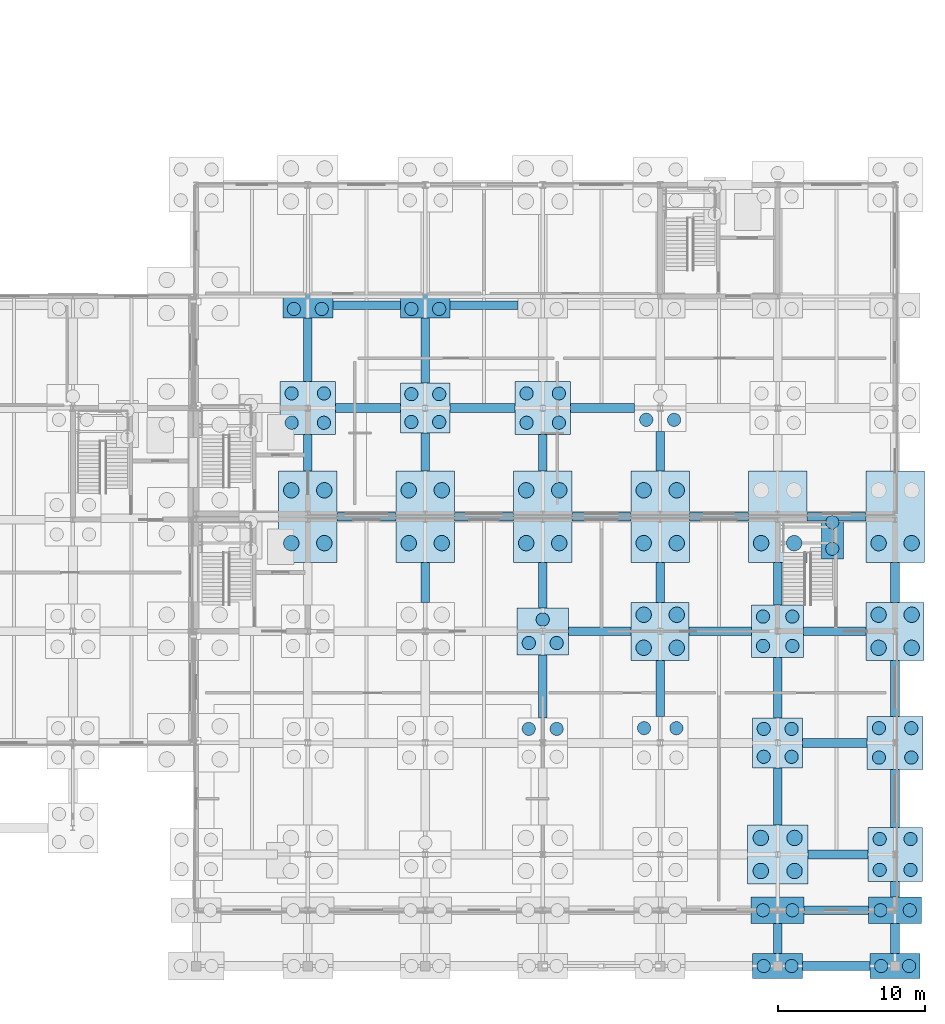
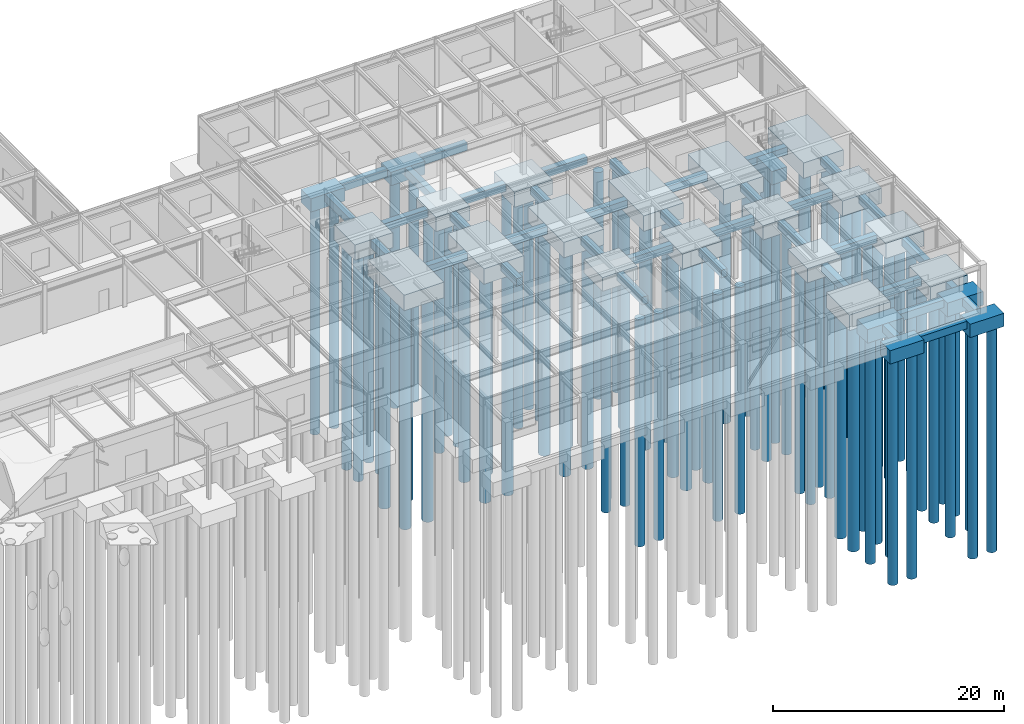
# One storey, part 6 of 62: 83 piles, 61 footings.
"""IFC4 building model written with IfcOpenShell, lengths in metres."""

from ifc_helpers import new_model, si_unit, direction, frame, origin, origin_2d, place, context, subcontext, project, spatial, rectangle, circle, extrude, material, material_profile, profile_set, type_object, element, save


model = new_model("IFC4")

# Units and contexts
model_context = context("Model", 3, precision=1e-05, world=origin(), true_north=direction((0.0, 1.0)))
body_context = subcontext(model_context, "Body", "Model", "MODEL_VIEW")
ifc_project = project(units=[si_unit("LENGTHUNIT", "METRE"), si_unit("AREAUNIT", "SQUARE_METRE"), si_unit("VOLUMEUNIT", "CUBIC_METRE"), si_unit("PLANEANGLEUNIT", "RADIAN"), si_unit("MASSUNIT", "GRAM", prefix="KILO")], contexts=[model_context])

# Site, building, storey
site_placement = place(None, origin())
site = spatial("IfcSite", under=ifc_project, at=site_placement, CompositionType="ELEMENT")
building_placement = place(site_placement, origin())
building = spatial("IfcBuilding", under=site, at=building_placement, Name="Zulena Civic Courthouse", CompositionType="ELEMENT")
storey_placement = place(building_placement, origin())
storey = spatial("IfcBuildingStorey", under=building, at=storey_placement, Name="L00", CompositionType="ELEMENT", Elevation=0.0)

# Piles
ifc_material_1 = material(Name="Concrete C40/50", Category="concrete")
ifc_material_profile_1 = material_profile(ifc_material_1, circle(Radius=0.52490234375, at=origin_2d()), Name="PILE1050")
ifc_profile_set_1 = profile_set([ifc_material_profile_1], Name="Concrete C40/50")
pile_type_1 = type_object("IfcPileType", Name="BoredPile_1050", PredefinedType="BORED", material=ifc_profile_set_1)
for number, where, z_axis, x_axis, name in (
    (1, (130.875, 28.800048828125, -1.780029296875), (0.0, 0.0, -1.0), (1.0, 0.0, 0.0), "pile:L00:104:1"),
    (2, (133.125, 28.800048828125, -1.780029296875), (0.0, 0.0, -1.0), (1.0, 0.0, 0.0), "pile:L00:104:2"),
    (3, (130.875, 32.39990234375, -1.780029296875), (0.0, 0.0, -1.0), (1.0, 0.0, 0.0), "pile:L00:104:3"),
    (4, (133.125, 32.39990234375, -1.780029296875), (0.0, 0.0, -1.0), (1.0, 0.0, 0.0), "pile:L00:104:4"),
    (5, (138.875, 28.800048828125, -1.780029296875), (0.0, 0.0, -1.0), (1.0, 0.0, 0.0), "pile:L00:113:1"),
    (6, (141.125, 28.800048828125, -1.780029296875), (0.0, 0.0, -1.0), (1.0, 0.0, 0.0), "pile:L00:113:2"),
    (7, (138.875, 32.39990234375, -1.780029296875), (0.0, 0.0, -1.0), (1.0, 0.0, 0.0), "pile:L00:113:3"),
    (8, (141.125, 32.39990234375, -1.780029296875), (0.0, 0.0, -1.0), (1.0, 0.0, 0.0), "pile:L00:113:4"),
    (9, (146.875, 28.800048828125, -1.780029296875), (0.0, 0.0, -1.0), (1.0, 0.0, 0.0), "pile:L00:122:1"),
    (10, (149.125, 28.800048828125, -1.780029296875), (0.0, 0.0, -1.0), (1.0, 0.0, 0.0), "pile:L00:122:2"),
    (11, (146.875, 32.39990234375, -1.780029296875), (0.0, 0.0, -1.0), (1.0, 0.0, 0.0), "pile:L00:122:3"),
    (12, (149.125, 32.39990234375, -1.780029296875), (0.0, 0.0, -1.0), (1.0, 0.0, 0.0), "pile:L00:122:4"),
    (13, (154.875, 21.675048828125, -1.72998046875), (0.0, 0.0, -1.0), (1.0, 0.0, 0.0), "pile:L00:130:1"),
    (14, (157.125, 21.675048828125, -1.72998046875), (0.0, 0.0, -1.0), (1.0, 0.0, 0.0), "pile:L00:130:2"),
    (15, (154.875, 23.925048828125, -1.72998046875), (0.0, 0.0, -1.0), (1.0, 0.0, 0.0), "pile:L00:130:3"),
    (16, (157.125, 23.925048828125, -1.72998046875), (0.0, 0.0, -1.0), (1.0, 0.0, 0.0), "pile:L00:130:4"),
    (17, (154.875, 28.800048828125, -1.780029296875), (0.0, 0.0, -1.0), (1.0, 0.0, 0.0), "pile:L00:131:1"),
    (18, (157.125, 28.800048828125, -1.780029296875), (0.0, 0.0, -1.0), (1.0, 0.0, 0.0), "pile:L00:131:2"),
    (19, (154.875, 32.39990234375, -1.780029296875), (0.0, 0.0, -1.0), (1.0, 0.0, 0.0), "pile:L00:131:3"),
    (20, (157.125, 32.39990234375, -1.780029296875), (0.0, 0.0, -1.0), (1.0, 0.0, 0.0), "pile:L00:131:4"),
    (21, (162.85009765625, 6.47509765625, -1.780029296875), (0.0, 0.0, -1.0), (1.0, 0.0, 0.0), "pile:L00:137:1"),
    (22, (165.14990234375, 6.47509765625, -1.780029296875), (0.0, 0.0, -1.0), (1.0, 0.0, 0.0), "pile:L00:137:2"),
    (23, (162.85009765625, 8.72509765625, -1.780029296875), (0.0, 0.0, -1.0), (1.0, 0.0, 0.0), "pile:L00:137:3"),
    (24, (165.14990234375, 8.72509765625, -1.780029296875), (0.0, 0.0, -1.0), (1.0, 0.0, 0.0), "pile:L00:137:4"),
    (25, (162.875, 28.800048828125, -1.780029296875), (0.0, 0.0, -1.0), (1.0, 0.0, 0.0), "pile:L00:140:1"),
    (26, (165.125, 28.800048828125, -1.780029296875), (0.0, 0.0, -1.0), (1.0, 0.0, 0.0), "pile:L00:140:2"),
    (27, (170.875, 21.675048828125, -1.72998046875), (0.0, 0.0, -1.0), (1.0, 0.0, 0.0), "pile:L00:148:1"),
    (28, (173.125, 21.675048828125, -1.72998046875), (0.0, 0.0, -1.0), (1.0, 0.0, 0.0), "pile:L00:148:2"),
    (29, (170.875, 23.925048828125, -1.72998046875), (0.0, 0.0, -1.0), (1.0, 0.0, 0.0), "pile:L00:148:3"),
    (30, (173.125, 23.925048828125, -1.72998046875), (0.0, 0.0, -1.0), (1.0, 0.0, 0.0), "pile:L00:148:4"),
    (31, (170.875, 28.800048828125, -1.780029296875), (0.0, 0.0, -1.0), (1.0, 0.0, 0.0), "pile:L00:149:1"),
    (32, (173.125, 28.800048828125, -1.780029296875), (0.0, 0.0, -1.0), (1.0, 0.0, 0.0), "pile:L00:149:2"),
):
    element("IfcPile", number, at=place(storey_placement, frame(where, z_axis=z_axis, x_axis=x_axis)), inside=storey, type_object=pile_type_1, Name=name, PredefinedType="BORED", context=body_context, shape_type="SweptSolid", body=[
        extrude(circle(Radius=0.52490234375, at=origin_2d()), origin(), (0.0, 0.0, 1.0), 24.0),
    ])
ifc_material_profile_2 = material_profile(ifc_material_1, circle(Radius=0.449951171875, at=origin_2d()), Name="PILE900")
ifc_profile_set_2 = profile_set([ifc_material_profile_2], Name="Concrete C40/50")
pile_type_2 = type_object("IfcPileType", Name="BoredPile_900", PredefinedType="BORED", material=ifc_profile_set_2)
for number, where, z_axis, x_axis, name in (
    (33, (130.89990234375, 37.0, -1.72998046875), (0.0, 0.0, -1.0), (1.0, 0.0, 0.0), "pile:L00:105:1"),
    (34, (133.10009765625, 37.0, -1.72998046875), (0.0, 0.0, -1.0), (1.0, 0.0, 0.0), "pile:L00:105:2"),
    (35, (130.89990234375, 39.0, -1.72998046875), (0.0, 0.0, -1.0), (1.0, 0.0, 0.0), "pile:L00:105:3"),
    (36, (133.10009765625, 39.0, -1.72998046875), (0.0, 0.0, -1.0), (1.0, 0.0, 0.0), "pile:L00:105:4"),
    (37, (131.050048828125, 44.75, -1.530029296875), (0.0, 0.0, -1.0), (1.0, 0.0, 0.0), "pile:L00:106:1"),
    (38, (132.949951171875, 44.75, -1.530029296875), (0.0, 0.0, -1.0), (1.0, 0.0, 0.0), "pile:L00:106:2"),
    (39, (139.050048828125, 37.050048828125, -1.6298828125), (0.0, 0.0, -1.0), (1.0, 0.0, 0.0), "pile:L00:114:1"),
    (40, (140.949951171875, 37.050048828125, -1.6298828125), (0.0, 0.0, -1.0), (1.0, 0.0, 0.0), "pile:L00:114:2"),
    (41, (139.050048828125, 38.949951171875, -1.6298828125), (0.0, 0.0, -1.0), (1.0, 0.0, 0.0), "pile:L00:114:3"),
    (42, (140.949951171875, 38.949951171875, -1.6298828125), (0.0, 0.0, -1.0), (1.0, 0.0, 0.0), "pile:L00:114:4"),
    (43, (139.050048828125, 44.75, -1.530029296875), (0.0, 0.0, -1.0), (1.0, 0.0, 0.0), "pile:L00:115:1"),
    (44, (140.949951171875, 44.75, -1.530029296875), (0.0, 0.0, -1.0), (1.0, 0.0, 0.0), "pile:L00:115:2"),
    (45, (147.050048828125, 16.14990234375, -1.6298828125), (0.0, 0.0, -1.0), (1.0, 0.0, 0.0), "pile:L00:120:3"),
    (46, (148.949951171875, 16.14990234375, -1.6298828125), (0.0, 0.0, -1.0), (1.0, 0.0, 0.0), "pile:L00:120:4"),
    (47, (147.050048828125, 22.0, -1.580078125), (0.0, 0.0, -1.0), (1.0, 0.0, 0.0), "pile:L00:121:1"),
    (48, (148.949951171875, 22.0, -1.580078125), (0.0, 0.0, -1.0), (1.0, 0.0, 0.0), "pile:L00:121:2"),
    (49, (148.0, 23.60009765625, -1.580078125), (0.0, 0.0, -1.0), (1.0, 0.0, 0.0), "pile:L00:121:3"),
    (50, (146.89990234375, 37.0, -1.72998046875), (0.0, 0.0, -1.0), (1.0, 0.0, 0.0), "pile:L00:123:1"),
    (51, (149.10009765625, 37.0, -1.72998046875), (0.0, 0.0, -1.0), (1.0, 0.0, 0.0), "pile:L00:123:2"),
    (52, (146.89990234375, 39.0, -1.72998046875), (0.0, 0.0, -1.0), (1.0, 0.0, 0.0), "pile:L00:123:3"),
    (53, (149.10009765625, 39.0, -1.72998046875), (0.0, 0.0, -1.0), (1.0, 0.0, 0.0), "pile:L00:123:4"),
    (54, (154.89990234375, 16.199951171875, -1.72998046875), (0.0, 0.0, -1.0), (1.0, 0.0, 0.0), "pile:L00:129:3"),
    (55, (157.10009765625, 16.199951171875, -1.72998046875), (0.0, 0.0, -1.0), (1.0, 0.0, 0.0), "pile:L00:129:4"),
    (56, (155.050048828125, 37.199951171875, -1.580078125), (0.0, 0.0, -1.0), (1.0, 0.0, 0.0), "pile:L00:132:1"),
    (57, (156.949951171875, 37.199951171875, -1.580078125), (0.0, 0.0, -1.0), (1.0, 0.0, 0.0), "pile:L00:132:2"),
    (58, (163.050048828125, 0.0, -1.530029296875), (0.0, 0.0, -1.0), (1.0, 0.0, 0.0), "pile:L00:135:1"),
    (59, (164.949951171875, 0.0, -1.530029296875), (0.0, 0.0, -1.0), (1.0, 0.0, 0.0), "pile:L00:135:2"),
    (60, (163.0, 3.800048828125, -1.580078125), (0.0, 0.0, -1.0), (1.0, 0.0, 0.0), "pile:L00:136:1"),
    (61, (165.0, 3.800048828125, -1.580078125), (0.0, 0.0, -1.0), (1.0, 0.0, 0.0), "pile:L00:136:2"),
    (62, (163.050048828125, 14.25, -1.6298828125), (0.0, 0.0, -1.0), (1.0, 0.0, 0.0), "pile:L00:138:1"),
    (63, (164.949951171875, 14.25, -1.6298828125), (0.0, 0.0, -1.0), (1.0, 0.0, 0.0), "pile:L00:138:2"),
    (64, (163.050048828125, 16.14990234375, -1.6298828125), (0.0, 0.0, -1.0), (1.0, 0.0, 0.0), "pile:L00:138:3"),
    (65, (164.949951171875, 16.14990234375, -1.6298828125), (0.0, 0.0, -1.0), (1.0, 0.0, 0.0), "pile:L00:138:4"),
    (66, (163.0, 21.800048828125, -1.6298828125), (0.0, 0.0, -1.0), (1.0, 0.0, 0.0), "pile:L00:139:1"),
    (67, (165.0, 21.800048828125, -1.6298828125), (0.0, 0.0, -1.0), (1.0, 0.0, 0.0), "pile:L00:139:2"),
    (68, (163.0, 23.800048828125, -1.6298828125), (0.0, 0.0, -1.0), (1.0, 0.0, 0.0), "pile:L00:139:3"),
    (69, (165.0, 23.800048828125, -1.6298828125), (0.0, 0.0, -1.0), (1.0, 0.0, 0.0), "pile:L00:139:4"),
    (70, (171.050048828125, 0.0, -1.530029296875), (0.0, 0.0, -1.0), (1.0, 0.0, 0.0), "pile:L00:144:1"),
    (71, (172.949951171875, 0.0, -1.530029296875), (0.0, 0.0, -1.0), (1.0, 0.0, 0.0), "pile:L00:144:2"),
    (72, (171.0, 3.800048828125, -1.580078125), (0.0, 0.0, -1.0), (1.0, 0.0, 0.0), "pile:L00:145:1"),
    (73, (173.0, 3.800048828125, -1.580078125), (0.0, 0.0, -1.0), (1.0, 0.0, 0.0), "pile:L00:145:2"),
    (74, (170.949951171875, 6.550048828125, -1.679931640625), (0.0, 0.0, -1.0), (1.0, 0.0, 0.0), "pile:L00:146:1"),
    (75, (173.050048828125, 6.550048828125, -1.679931640625), (0.0, 0.0, -1.0), (1.0, 0.0, 0.0), "pile:L00:146:2"),
    (76, (170.949951171875, 8.64990234375, -1.679931640625), (0.0, 0.0, -1.0), (1.0, 0.0, 0.0), "pile:L00:146:3"),
    (77, (173.050048828125, 8.64990234375, -1.679931640625), (0.0, 0.0, -1.0), (1.0, 0.0, 0.0), "pile:L00:146:4"),
    (78, (170.89990234375, 14.199951171875, -1.72998046875), (0.0, 0.0, -1.0), (1.0, 0.0, 0.0), "pile:L00:147:1"),
    (79, (173.10009765625, 14.199951171875, -1.72998046875), (0.0, 0.0, -1.0), (1.0, 0.0, 0.0), "pile:L00:147:2"),
    (80, (170.89990234375, 16.199951171875, -1.72998046875), (0.0, 0.0, -1.0), (1.0, 0.0, 0.0), "pile:L00:147:3"),
    (81, (173.10009765625, 16.199951171875, -1.72998046875), (0.0, 0.0, -1.0), (1.0, 0.0, 0.0), "pile:L00:147:4"),
    (82, (167.719970703125, 28.419921875, -1.530029296875), (0.0, 0.0, -1.0), (1.0, 0.0, 0.0), "pile:stair:L00:04:1"),
    (83, (167.719970703125, 30.219970703125, -1.530029296875), (0.0, 0.0, -1.0), (1.0, 0.0, 0.0), "pile:stair:L00:04:2"),
):
    element("IfcPile", number, at=place(storey_placement, frame(where, z_axis=z_axis, x_axis=x_axis)), inside=storey, type_object=pile_type_2, Name=name, PredefinedType="BORED", context=body_context, shape_type="SweptSolid", body=[
        extrude(circle(Radius=0.449951171875, at=origin_2d()), origin(), (0.0, 0.0, 1.0), 24.0),
    ])

# Footings
ifc_material_2 = material(Name="Concrete C35/45", Category="concrete")
ifc_material_profile_3 = material_profile(ifc_material_2, rectangle(XDim=0.60009765625, YDim=0.800048828125, at=origin_2d()), Name="RC600X800")
ifc_profile_set_3 = profile_set([ifc_material_profile_3], Name="Concrete C35/45")
footing_type_1 = type_object("IfcFootingType", Name="GroundBeam_600x800", PredefinedType="FOOTING_BEAM", material=ifc_profile_set_3)
footing_1_placement = place(storey_placement, frame((165.699951171875, 0.0, -0.6298828125), z_axis=(1.0, 0.0, 0.0), x_axis=(0.0, 1.0, 0.0)))
element("IfcFooting", 84, at=footing_1_placement, inside=storey, type_object=footing_type_1, Name="gbeam:X:L00:012", PredefinedType="FOOTING_BEAM", context=body_context, shape_type="SweptSolid", body=[
    extrude(rectangle(XDim=0.60009765625, YDim=0.800048828125, at=origin_2d()), origin(), (0.0, 0.0, 1.0), 4.60009765625),
])
footing_2_placement = place(storey_placement, frame((165.800048828125, 3.800048828125, -0.6298828125), z_axis=(1.0, 0.0, 0.0), x_axis=(0.0, 1.0, 0.0)))
element("IfcFooting", 85, at=footing_2_placement, inside=storey, type_object=footing_type_1, Name="gbeam:X:L00:024", PredefinedType="FOOTING_BEAM", context=body_context, shape_type="SweptSolid", body=[
    extrude(rectangle(XDim=0.60009765625, YDim=0.800048828125, at=origin_2d()), origin(), (0.0, 0.0, 1.0), 4.39990234375),
])
footing_3_placement = place(storey_placement, frame((166.050048828125, 7.60009765625, -0.6298828125), z_axis=(1.0, 0.0, 0.0), x_axis=(0.0, 1.0, 0.0)))
element("IfcFooting", 86, at=footing_3_placement, inside=storey, type_object=footing_type_1, Name="gbeam:X:L00:037", PredefinedType="FOOTING_BEAM", context=body_context, shape_type="SweptSolid", body=[
    extrude(rectangle(XDim=0.60009765625, YDim=0.800048828125, at=origin_2d()), origin(), (0.0, 0.0, 1.0), 4.099853515625),
])
footing_4_placement = place(storey_placement, frame((165.699951171875, 15.199951171875, -0.6298828125), z_axis=(1.0, 0.0, 0.0), x_axis=(0.0, 1.0, 0.0)))
element("IfcFooting", 87, at=footing_4_placement, inside=storey, type_object=footing_type_1, Name="gbeam:X:L00:063", PredefinedType="FOOTING_BEAM", context=body_context, shape_type="SweptSolid", body=[
    extrude(rectangle(XDim=0.60009765625, YDim=0.800048828125, at=origin_2d()), origin(), (0.0, 0.0, 1.0), 4.400146484375),
])
footing_5_placement = place(storey_placement, frame((149.75, 22.800048828125, -0.6298828125), z_axis=(1.0, 0.0, 0.0), x_axis=(0.0, 1.0, 0.0)))
element("IfcFooting", 88, at=footing_5_placement, inside=storey, type_object=footing_type_1, Name="gbeam:X:L00:082", PredefinedType="FOOTING_BEAM", context=body_context, shape_type="SweptSolid", body=[
    extrude(rectangle(XDim=0.60009765625, YDim=0.800048828125, at=origin_2d()), origin(), (0.0, 0.0, 1.0), 4.27490234375),
])
for number, where, z_axis, x_axis, name in (
    (89, (157.97509765625, 22.800048828125, -0.6298828125), (1.0, 0.0, 0.0), (0.0, 1.0, 0.0), "gbeam:X:L00:083"),
    (90, (165.77490234375, 22.800048828125, -0.6298828125), (1.0, 0.0, 0.0), (0.0, 1.0, 0.0), "gbeam:X:L00:084"),
):
    element("IfcFooting", number, at=place(storey_placement, frame(where, z_axis=z_axis, x_axis=x_axis)), inside=storey, type_object=footing_type_1, Name=name, PredefinedType="FOOTING_BEAM", context=body_context, shape_type="SweptSolid", body=[
        extrude(rectangle(XDim=0.60009765625, YDim=0.800048828125, at=origin_2d()), origin(), (0.0, 0.0, 1.0), 4.25),
    ])
for number, where, z_axis, x_axis, name in (
    (91, (134.0, 30.60009765625, -0.6298828125), (1.0, 0.0, 0.0), (0.0, 1.0, 0.0), "gbeam:X:L00:092"),
    (92, (142.0, 30.60009765625, -0.6298828125), (1.0, 0.0, 0.0), (0.0, 1.0, 0.0), "gbeam:X:L00:093"),
    (93, (150.0, 30.60009765625, -0.6298828125), (1.0, 0.0, 0.0), (0.0, 1.0, 0.0), "gbeam:X:L00:094"),
    (94, (158.0, 30.60009765625, -0.6298828125), (1.0, 0.0, 0.0), (0.0, 1.0, 0.0), "gbeam:X:L00:095"),
    (95, (166.0, 30.60009765625, -0.6298828125), (1.0, 0.0, 0.0), (0.0, 1.0, 0.0), "gbeam:X:L00:096"),
):
    element("IfcFooting", number, at=place(storey_placement, frame(where, z_axis=z_axis, x_axis=x_axis)), inside=storey, type_object=footing_type_1, Name=name, PredefinedType="FOOTING_BEAM", context=body_context, shape_type="SweptSolid", body=[
        extrude(rectangle(XDim=0.60009765625, YDim=0.800048828125, at=origin_2d()), origin(), (0.0, 0.0, 1.0), 4.0),
    ])
for number, where, z_axis, x_axis, name in (
    (96, (133.89990234375, 38.0, -0.6298828125), (1.0, 0.0, 0.0), (0.0, 1.0, 0.0), "gbeam:X:L00:107"),
    (97, (141.699951171875, 38.0, -0.6298828125), (1.0, 0.0, 0.0), (0.0, 1.0, 0.0), "gbeam:X:L00:108"),
):
    element("IfcFooting", number, at=place(storey_placement, frame(where, z_axis=z_axis, x_axis=x_axis)), inside=storey, type_object=footing_type_1, Name=name, PredefinedType="FOOTING_BEAM", context=body_context, shape_type="SweptSolid", body=[
        extrude(rectangle(XDim=0.60009765625, YDim=0.800048828125, at=origin_2d()), origin(), (0.0, 0.0, 1.0), 4.400146484375),
    ])
footing_6_placement = place(storey_placement, frame((149.89990234375, 38.0, -0.6298828125), z_axis=(1.0, 0.0, 0.0), x_axis=(0.0, 1.0, 0.0)))
element("IfcFooting", 98, at=footing_6_placement, inside=storey, type_object=footing_type_1, Name="gbeam:X:L00:109", PredefinedType="FOOTING_BEAM", context=body_context, shape_type="SweptSolid", body=[
    extrude(rectangle(XDim=0.60009765625, YDim=0.800048828125, at=origin_2d()), origin(), (0.0, 0.0, 1.0), 4.35009765625),
])
for number, where, z_axis, x_axis, name in (
    (99, (133.699951171875, 45.0, -0.6298828125), (1.0, 0.0, 0.0), (0.0, 1.0, 0.0), "gbeam:X:L00:120"),
    (100, (141.699951171875, 45.0, -0.6298828125), (1.0, 0.0, 0.0), (0.0, 1.0, 0.0), "gbeam:X:L00:121"),
):
    element("IfcFooting", number, at=place(storey_placement, frame(where, z_axis=z_axis, x_axis=x_axis)), inside=storey, type_object=footing_type_1, Name=name, PredefinedType="FOOTING_BEAM", context=body_context, shape_type="SweptSolid", body=[
        extrude(rectangle(XDim=0.60009765625, YDim=0.800048828125, at=origin_2d()), origin(), (0.0, 0.0, 1.0), 4.60009765625),
    ])
footing_7_placement = place(storey_placement, frame((132.0, 33.699951171875, -0.6298828125), z_axis=(0.0, 1.0, 0.0), x_axis=(-1.0, 0.0, 0.0)))
element("IfcFooting", 101, at=footing_7_placement, inside=storey, type_object=footing_type_1, Name="gbeam:Y:L00:208", PredefinedType="FOOTING_BEAM", context=body_context, shape_type="SweptSolid", body=[
    extrude(rectangle(XDim=0.60009765625, YDim=0.800048828125, at=origin_2d()), origin(), (0.0, 0.0, 1.0), 2.5),
])
footing_8_placement = place(storey_placement, frame((132.0, 39.800048828125, -0.6298828125), z_axis=(0.0, 1.0, 0.0), x_axis=(-1.0, 0.0, 0.0)))
element("IfcFooting", 102, at=footing_8_placement, inside=storey, type_object=footing_type_1, Name="gbeam:Y:L00:209", PredefinedType="FOOTING_BEAM", context=body_context, shape_type="SweptSolid", body=[
    extrude(rectangle(XDim=0.60009765625, YDim=0.800048828125, at=origin_2d()), origin(), (0.0, 0.0, 1.0), 4.349853515625),
])
footing_9_placement = place(storey_placement, frame((140.0, 24.77490234375, -0.6298828125), z_axis=(0.0, 1.0, 0.0), x_axis=(-1.0, 0.0, 0.0)))
element("IfcFooting", 103, at=footing_9_placement, inside=storey, type_object=footing_type_1, Name="gbeam:Y:L00:215", PredefinedType="FOOTING_BEAM", context=body_context, shape_type="SweptSolid", body=[
    extrude(rectangle(XDim=0.60009765625, YDim=0.800048828125, at=origin_2d()), origin(), (0.0, 0.0, 1.0), 2.72509765625),
])
footing_10_placement = place(storey_placement, frame((140.0, 33.699951171875, -0.6298828125), z_axis=(0.0, 1.0, 0.0), x_axis=(-1.0, 0.0, 0.0)))
element("IfcFooting", 104, at=footing_10_placement, inside=storey, type_object=footing_type_1, Name="gbeam:Y:L00:216", PredefinedType="FOOTING_BEAM", context=body_context, shape_type="SweptSolid", body=[
    extrude(rectangle(XDim=0.60009765625, YDim=0.800048828125, at=origin_2d()), origin(), (0.0, 0.0, 1.0), 2.60009765625),
])
footing_11_placement = place(storey_placement, frame((140.0, 39.699951171875, -0.6298828125), z_axis=(0.0, 1.0, 0.0), x_axis=(-1.0, 0.0, 0.0)))
element("IfcFooting", 105, at=footing_11_placement, inside=storey, type_object=footing_type_1, Name="gbeam:Y:L00:217", PredefinedType="FOOTING_BEAM", context=body_context, shape_type="SweptSolid", body=[
    extrude(rectangle(XDim=0.60009765625, YDim=0.800048828125, at=origin_2d()), origin(), (0.0, 0.0, 1.0), 4.449951171875),
])
footing_12_placement = place(storey_placement, frame((148.0, 16.89990234375, -0.6298828125), z_axis=(0.0, 1.0, 0.0), x_axis=(-1.0, 0.0, 0.0)))
element("IfcFooting", 106, at=footing_12_placement, inside=storey, type_object=footing_type_1, Name="gbeam:Y:L00:221", PredefinedType="FOOTING_BEAM", context=body_context, shape_type="SweptSolid", body=[
    extrude(rectangle(XDim=0.60009765625, YDim=0.800048828125, at=origin_2d()), origin(), (0.0, 0.0, 1.0), 4.300048828125),
])
footing_13_placement = place(storey_placement, frame((148.0, 24.39990234375, -0.6298828125), z_axis=(0.0, 1.0, 0.0), x_axis=(-1.0, 0.0, 0.0)))
element("IfcFooting", 107, at=footing_13_placement, inside=storey, type_object=footing_type_1, Name="gbeam:Y:L00:222", PredefinedType="FOOTING_BEAM", context=body_context, shape_type="SweptSolid", body=[
    extrude(rectangle(XDim=0.60009765625, YDim=0.800048828125, at=origin_2d()), origin(), (0.0, 0.0, 1.0), 3.10009765625),
])
footing_14_placement = place(storey_placement, frame((148.0, 33.699951171875, -0.6298828125), z_axis=(0.0, 1.0, 0.0), x_axis=(-1.0, 0.0, 0.0)))
element("IfcFooting", 108, at=footing_14_placement, inside=storey, type_object=footing_type_1, Name="gbeam:Y:L00:223", PredefinedType="FOOTING_BEAM", context=body_context, shape_type="SweptSolid", body=[
    extrude(rectangle(XDim=0.60009765625, YDim=0.800048828125, at=origin_2d()), origin(), (0.0, 0.0, 1.0), 2.5),
])
footing_15_placement = place(storey_placement, frame((156.0, 17.0, -0.6298828125), z_axis=(0.0, 1.0, 0.0), x_axis=(-1.0, 0.0, 0.0)))
element("IfcFooting", 109, at=footing_15_placement, inside=storey, type_object=footing_type_1, Name="gbeam:Y:L00:229", PredefinedType="FOOTING_BEAM", context=body_context, shape_type="SweptSolid", body=[
    extrude(rectangle(XDim=0.60009765625, YDim=0.800048828125, at=origin_2d()), origin(), (0.0, 0.0, 1.0), 3.824951171875),
])
footing_16_placement = place(storey_placement, frame((156.0, 24.77490234375, -0.6298828125), z_axis=(0.0, 1.0, 0.0), x_axis=(-1.0, 0.0, 0.0)))
element("IfcFooting", 110, at=footing_16_placement, inside=storey, type_object=footing_type_1, Name="gbeam:Y:L00:230", PredefinedType="FOOTING_BEAM", context=body_context, shape_type="SweptSolid", body=[
    extrude(rectangle(XDim=0.60009765625, YDim=0.800048828125, at=origin_2d()), origin(), (0.0, 0.0, 1.0), 2.72509765625),
])
footing_17_placement = place(storey_placement, frame((156.0, 33.699951171875, -0.6298828125), z_axis=(0.0, 1.0, 0.0), x_axis=(-1.0, 0.0, 0.0)))
element("IfcFooting", 111, at=footing_17_placement, inside=storey, type_object=footing_type_1, Name="gbeam:Y:L00:231", PredefinedType="FOOTING_BEAM", context=body_context, shape_type="SweptSolid", body=[
    extrude(rectangle(XDim=0.60009765625, YDim=0.800048828125, at=origin_2d()), origin(), (0.0, 0.0, 1.0), 2.699951171875),
])
footing_18_placement = place(storey_placement, frame((164.0, 0.85009765625, -0.6298828125), z_axis=(0.0, 1.0, 0.0), x_axis=(-1.0, 0.0, 0.0)))
element("IfcFooting", 112, at=footing_18_placement, inside=storey, type_object=footing_type_1, Name="gbeam:Y:L00:234", PredefinedType="FOOTING_BEAM", context=body_context, shape_type="SweptSolid", body=[
    extrude(rectangle(XDim=0.60009765625, YDim=0.800048828125, at=origin_2d()), origin(), (0.0, 0.0, 1.0), 2.0498046875),
])
footing_19_placement = place(storey_placement, frame((164.0, 9.60009765625, -0.6298828125), z_axis=(0.0, 1.0, 0.0), x_axis=(-1.0, 0.0, 0.0)))
element("IfcFooting", 113, at=footing_19_placement, inside=storey, type_object=footing_type_1, Name="gbeam:Y:L00:235", PredefinedType="FOOTING_BEAM", context=body_context, shape_type="SweptSolid", body=[
    extrude(rectangle(XDim=0.60009765625, YDim=0.800048828125, at=origin_2d()), origin(), (0.0, 0.0, 1.0), 3.89990234375),
])
footing_20_placement = place(storey_placement, frame((164.0, 16.89990234375, -0.6298828125), z_axis=(0.0, 1.0, 0.0), x_axis=(-1.0, 0.0, 0.0)))
element("IfcFooting", 114, at=footing_20_placement, inside=storey, type_object=footing_type_1, Name="gbeam:Y:L00:236", PredefinedType="FOOTING_BEAM", context=body_context, shape_type="SweptSolid", body=[
    extrude(rectangle(XDim=0.60009765625, YDim=0.800048828125, at=origin_2d()), origin(), (0.0, 0.0, 1.0), 4.125),
])
footing_21_placement = place(storey_placement, frame((164.0, 24.574951171875, -0.6298828125), z_axis=(0.0, 1.0, 0.0), x_axis=(-1.0, 0.0, 0.0)))
element("IfcFooting", 115, at=footing_21_placement, inside=storey, type_object=footing_type_1, Name="gbeam:Y:L00:237", PredefinedType="FOOTING_BEAM", context=body_context, shape_type="SweptSolid", body=[
    extrude(rectangle(XDim=0.60009765625, YDim=0.800048828125, at=origin_2d()), origin(), (0.0, 0.0, 1.0), 2.925048828125),
])
footing_22_placement = place(storey_placement, frame((172.0, 0.85009765625, -0.6298828125), z_axis=(0.0, 1.0, 0.0), x_axis=(-1.0, 0.0, 0.0)))
element("IfcFooting", 116, at=footing_22_placement, inside=storey, type_object=footing_type_1, Name="gbeam:Y:L00:241", PredefinedType="FOOTING_BEAM", context=body_context, shape_type="SweptSolid", body=[
    extrude(rectangle(XDim=0.60009765625, YDim=0.800048828125, at=origin_2d()), origin(), (0.0, 0.0, 1.0), 2.0498046875),
])
footing_23_placement = place(storey_placement, frame((172.0, 4.699951171875, -0.6298828125), z_axis=(0.0, 1.0, 0.0), x_axis=(-1.0, 0.0, 0.0)))
element("IfcFooting", 117, at=footing_23_placement, inside=storey, type_object=footing_type_1, Name="gbeam:Y:L00:242", PredefinedType="FOOTING_BEAM", context=body_context, shape_type="SweptSolid", body=[
    extrude(rectangle(XDim=0.60009765625, YDim=0.800048828125, at=origin_2d()), origin(), (0.0, 0.0, 1.0), 1.050048828125),
])
footing_24_placement = place(storey_placement, frame((172.0, 9.449951171875, -0.6298828125), z_axis=(0.0, 1.0, 0.0), x_axis=(-1.0, 0.0, 0.0)))
element("IfcFooting", 118, at=footing_24_placement, inside=storey, type_object=footing_type_1, Name="gbeam:Y:L00:243", PredefinedType="FOOTING_BEAM", context=body_context, shape_type="SweptSolid", body=[
    extrude(rectangle(XDim=0.60009765625, YDim=0.800048828125, at=origin_2d()), origin(), (0.0, 0.0, 1.0), 3.949951171875),
])
footing_25_placement = place(storey_placement, frame((172.0, 17.0, -0.6298828125), z_axis=(0.0, 1.0, 0.0), x_axis=(-1.0, 0.0, 0.0)))
element("IfcFooting", 119, at=footing_25_placement, inside=storey, type_object=footing_type_1, Name="gbeam:Y:L00:244", PredefinedType="FOOTING_BEAM", context=body_context, shape_type="SweptSolid", body=[
    extrude(rectangle(XDim=0.60009765625, YDim=0.800048828125, at=origin_2d()), origin(), (0.0, 0.0, 1.0), 3.824951171875),
])
footing_26_placement = place(storey_placement, frame((172.0, 24.77490234375, -0.6298828125), z_axis=(0.0, 1.0, 0.0), x_axis=(-1.0, 0.0, 0.0)))
element("IfcFooting", 120, at=footing_26_placement, inside=storey, type_object=footing_type_1, Name="gbeam:Y:L00:245", PredefinedType="FOOTING_BEAM", context=body_context, shape_type="SweptSolid", body=[
    extrude(rectangle(XDim=0.60009765625, YDim=0.800048828125, at=origin_2d()), origin(), (0.0, 0.0, 1.0), 2.72509765625),
])
footing_type_2 = type_object("IfcFootingType", Name="PileCap_2P_1500x3200", PredefinedType="PILE_CAP", material=ifc_material_1)
footing_27_placement = place(storey_placement, frame((167.719970703125, 29.320068359375, -1.6298828125), z_axis=(0.0, 0.0, 1.0), x_axis=(1.0, 0.0, 0.0)))
element("IfcFooting", 121, at=footing_27_placement, inside=storey, type_object=footing_type_2, Name="cap:stair:L00:04", PredefinedType="PILE_CAP", context=body_context, shape_type="SweptSolid", body=[
    extrude(rectangle(XDim=1.5, YDim=3.199951171875, at=origin_2d()), origin(), (0.0, 0.0, 1.0), 1.39990234375),
])
footing_type_3 = type_object("IfcFootingType", Name="PileCap_2P_3400x1700", PredefinedType="PILE_CAP", material=ifc_material_1)
for number, where, z_axis, x_axis, name in (
    (122, (132.0, 45.0, -1.6298828125), (0.0, 0.0, 1.0), (1.0, 0.0, 0.0), "cap:L00:106"),
    (123, (140.0, 45.0, -1.6298828125), (0.0, 0.0, 1.0), (1.0, 0.0, 0.0), "cap:L00:115"),
    (124, (164.0, 0.0, -1.6298828125), (0.0, 0.0, 1.0), (1.0, 0.0, 0.0), "cap:L00:135"),
    (125, (172.0, 0.0, -1.6298828125), (0.0, 0.0, 1.0), (1.0, 0.0, 0.0), "cap:L00:144"),
):
    element("IfcFooting", number, at=place(storey_placement, frame(where, z_axis=z_axis, x_axis=x_axis)), inside=storey, type_object=footing_type_3, Name=name, PredefinedType="PILE_CAP", context=body_context, shape_type="SweptSolid", body=[
        extrude(rectangle(XDim=3.39990234375, YDim=1.699951171875, at=origin_2d()), origin(), (0.0, 0.0, 1.0), 1.39990234375),
    ])
footing_type_4 = type_object("IfcFootingType", Name="PileCap_2P_3600x1800", PredefinedType="PILE_CAP", material=ifc_material_1)
for number, where, z_axis, x_axis, name in (
    (126, (164.0, 3.800048828125, -1.68017578125), (0.0, 0.0, 1.0), (1.0, 0.0, 0.0), "cap:L00:136"),
    (127, (172.0, 3.800048828125, -1.68017578125), (0.0, 0.0, 1.0), (1.0, 0.0, 0.0), "cap:L00:145"),
):
    element("IfcFooting", number, at=place(storey_placement, frame(where, z_axis=z_axis, x_axis=x_axis)), inside=storey, type_object=footing_type_4, Name=name, PredefinedType="PILE_CAP", context=body_context, shape_type="SweptSolid", body=[
        extrude(rectangle(XDim=3.60009765625, YDim=1.800048828125, at=origin_2d()), origin(), (0.0, 0.0, 1.0), 1.449951171875),
    ])
footing_type_5 = type_object("IfcFootingType", Name="PileCap_3P_3500x3200", PredefinedType="PILE_CAP", material=ifc_material_1)
footing_28_placement = place(storey_placement, frame((148.0, 22.800048828125, -1.68017578125), z_axis=(0.0, 0.0, 1.0), x_axis=(1.0, 0.0, 0.0)))
element("IfcFooting", 128, at=footing_28_placement, inside=storey, type_object=footing_type_5, Name="cap:L00:121", PredefinedType="PILE_CAP", context=body_context, shape_type="SweptSolid", body=[
    extrude(rectangle(XDim=3.5, YDim=3.199951171875, at=origin_2d()), origin(), (0.0, 0.0, 1.0), 1.449951171875),
])
footing_type_6 = type_object("IfcFootingType", Name="PileCap_4P_3400x3400", PredefinedType="PILE_CAP", material=ifc_material_1)
for number, where, z_axis, x_axis, name in (
    (129, (140.0, 38.0, -1.72998046875), (0.0, 0.0, 1.0), (1.0, 0.0, 0.0), "cap:L00:114"),
    (130, (164.0, 15.199951171875, -1.72998046875), (0.0, 0.0, 1.0), (1.0, 0.0, 0.0), "cap:L00:138"),
):
    element("IfcFooting", number, at=place(storey_placement, frame(where, z_axis=z_axis, x_axis=x_axis)), inside=storey, type_object=footing_type_6, Name=name, PredefinedType="PILE_CAP", context=body_context, shape_type="SweptSolid", body=[
        extrude(rectangle(XDim=3.39990234375, YDim=3.39990234375, at=origin_2d()), origin(), (0.0, 0.0, 1.0), 1.5),
    ])
footing_type_7 = type_object("IfcFootingType", Name="PileCap_4P_3550x3550", PredefinedType="PILE_CAP", material=ifc_material_1)
footing_29_placement = place(storey_placement, frame((164.0, 22.800048828125, -1.72998046875), z_axis=(0.0, 0.0, 1.0), x_axis=(1.0, 0.0, 0.0)))
element("IfcFooting", 131, at=footing_29_placement, inside=storey, type_object=footing_type_7, Name="cap:L00:139", PredefinedType="PILE_CAP", context=body_context, shape_type="SweptSolid", body=[
    extrude(rectangle(XDim=3.550048828125, YDim=3.550048828125, at=origin_2d()), origin(), (0.0, 0.0, 1.0), 1.5),
])
footing_type_8 = type_object("IfcFootingType", Name="PileCap_4P_3700x3700", PredefinedType="PILE_CAP", material=ifc_material_1)
footing_30_placement = place(storey_placement, frame((172.0, 7.60009765625, -1.77978515625), z_axis=(0.0, 0.0, 1.0), x_axis=(1.0, 0.0, 0.0)))
element("IfcFooting", 132, at=footing_30_placement, inside=storey, type_object=footing_type_8, Name="cap:L00:146", PredefinedType="PILE_CAP", context=body_context, shape_type="SweptSolid", body=[
    extrude(rectangle(XDim=3.699951171875, YDim=3.699951171875, at=origin_2d()), origin(), (0.0, 0.0, 1.0), 1.550048828125),
])
footing_type_9 = type_object("IfcFootingType", Name="PileCap_4P_3800x3600", PredefinedType="PILE_CAP", material=ifc_material_1)
for number, where, z_axis, x_axis, name in (
    (133, (132.0, 38.0, -1.830078125), (0.0, 0.0, 1.0), (1.0, 0.0, 0.0), "cap:L00:105"),
    (134, (148.0, 38.0, -1.830078125), (0.0, 0.0, 1.0), (1.0, 0.0, 0.0), "cap:L00:123"),
    (135, (172.0, 15.199951171875, -1.830078125), (0.0, 0.0, 1.0), (1.0, 0.0, 0.0), "cap:L00:147"),
):
    element("IfcFooting", number, at=place(storey_placement, frame(where, z_axis=z_axis, x_axis=x_axis)), inside=storey, type_object=footing_type_9, Name=name, PredefinedType="PILE_CAP", context=body_context, shape_type="SweptSolid", body=[
        extrude(rectangle(XDim=3.800048828125, YDim=3.60009765625, at=origin_2d()), origin(), (0.0, 0.0, 1.0), 1.60009765625),
    ])
footing_type_10 = type_object("IfcFootingType", Name="PileCap_4P_3950x3950", PredefinedType="PILE_CAP", material=ifc_material_1)
for number, where, z_axis, x_axis, name in (
    (136, (156.0, 22.800048828125, -1.830078125), (0.0, 0.0, 1.0), (1.0, 0.0, 0.0), "cap:L00:130"),
    (137, (172.0, 22.800048828125, -1.830078125), (0.0, 0.0, 1.0), (1.0, 0.0, 0.0), "cap:L00:148"),
):
    element("IfcFooting", number, at=place(storey_placement, frame(where, z_axis=z_axis, x_axis=x_axis)), inside=storey, type_object=footing_type_10, Name=name, PredefinedType="PILE_CAP", context=body_context, shape_type="SweptSolid", body=[
        extrude(rectangle(XDim=3.949951171875, YDim=3.949951171875, at=origin_2d()), origin(), (0.0, 0.0, 1.0), 1.60009765625),
    ])
footing_type_11 = type_object("IfcFootingType", Name="PileCap_4P_4000x6200", PredefinedType="PILE_CAP", material=ifc_material_1)
for number, where, z_axis, x_axis, name in (
    (138, (132.0, 30.60009765625, -1.8798828125), (0.0, 0.0, 1.0), (1.0, 0.0, 0.0), "cap:L00:104"),
    (139, (140.0, 30.60009765625, -1.8798828125), (0.0, 0.0, 1.0), (1.0, 0.0, 0.0), "cap:L00:113"),
    (140, (148.0, 30.60009765625, -1.8798828125), (0.0, 0.0, 1.0), (1.0, 0.0, 0.0), "cap:L00:122"),
    (141, (156.0, 30.60009765625, -1.8798828125), (0.0, 0.0, 1.0), (1.0, 0.0, 0.0), "cap:L00:131"),
    (142, (164.0, 30.60009765625, -1.8798828125), (0.0, 0.0, 1.0), (1.0, 0.0, 0.0), "cap:L00:140"),
    (143, (172.0, 30.60009765625, -1.8798828125), (0.0, 0.0, 1.0), (1.0, 0.0, 0.0), "cap:L00:149"),
):
    element("IfcFooting", number, at=place(storey_placement, frame(where, z_axis=z_axis, x_axis=x_axis)), inside=storey, type_object=footing_type_11, Name=name, PredefinedType="PILE_CAP", context=body_context, shape_type="SweptSolid", body=[
        extrude(rectangle(XDim=4.0, YDim=6.199951171875, at=origin_2d()), origin(), (0.0, 0.0, 1.0), 1.64990234375),
    ])
footing_type_12 = type_object("IfcFootingType", Name="PileCap_4P_4100x4000", PredefinedType="PILE_CAP", material=ifc_material_1)
footing_31_placement = place(storey_placement, frame((164.0, 7.60009765625, -1.8798828125), z_axis=(0.0, 0.0, 1.0), x_axis=(1.0, 0.0, 0.0)))
element("IfcFooting", 144, at=footing_31_placement, inside=storey, type_object=footing_type_12, Name="cap:L00:137", PredefinedType="PILE_CAP", context=body_context, shape_type="SweptSolid", body=[
    extrude(rectangle(XDim=4.10009765625, YDim=4.0, at=origin_2d()), origin(), (0.0, 0.0, 1.0), 1.64990234375),
])

save(model, "model.ifc")
